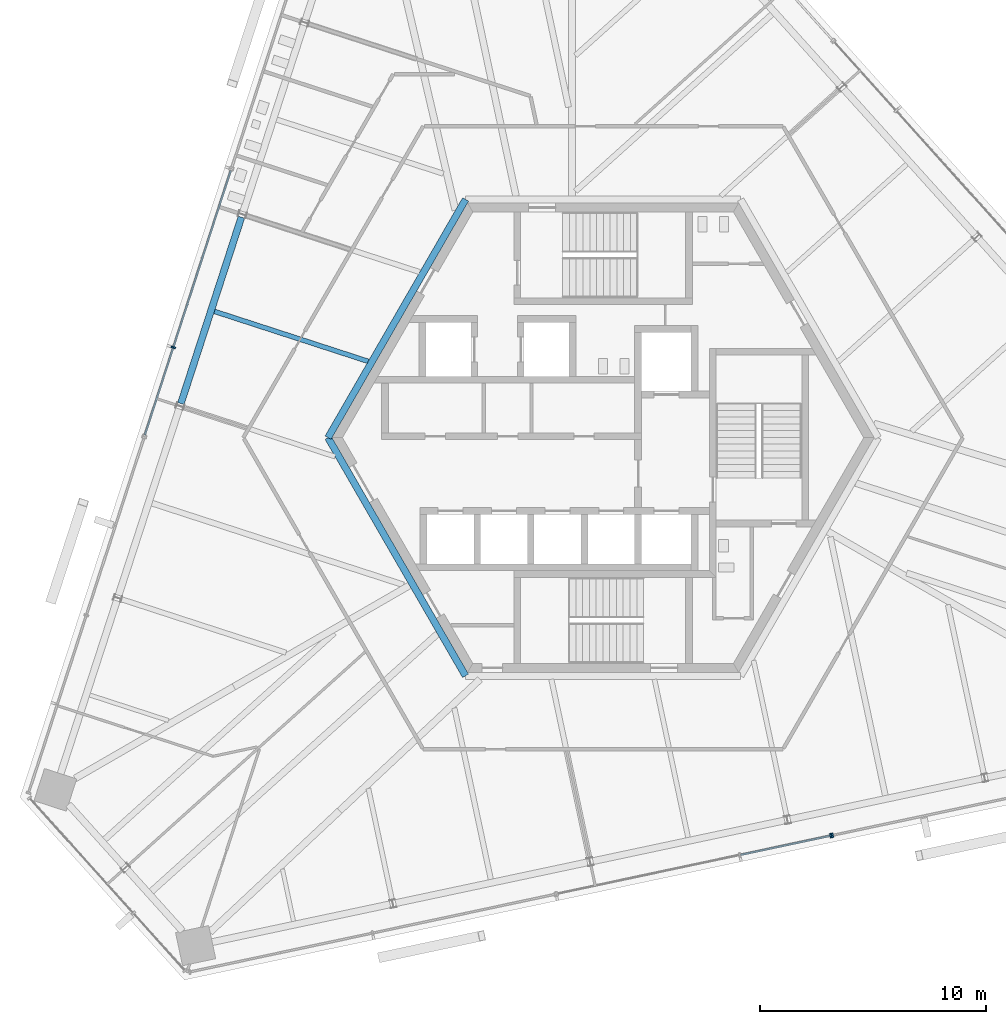
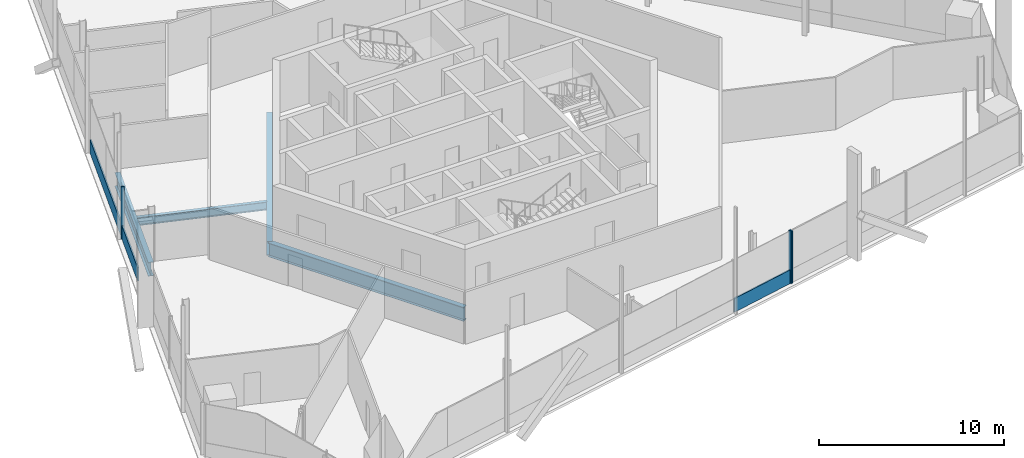
# One storey, part 5 of 16: 6 members, 4 beams, 3 elements without a shape of their own.
"""IFC4 building model written with IfcOpenShell, lengths in metres."""

from ifc_helpers import new_model, si_unit, direction, frame, origin, origin_2d, place, context, subcontext, project, spatial, rectangle, i_section, extrude, source, transform, mapped, material, material_profile, profile_set, type_object, element, aggregate, save


model = new_model("IFC4")

# Units and contexts
model_context = context("Model", 3, precision=1e-05, world=origin(), true_north=direction((0.0, 1.0)))
body_context = subcontext(model_context, "Body", "Model", "MODEL_VIEW")
ifc_project = project(units=[si_unit("LENGTHUNIT", "METRE"), si_unit("AREAUNIT", "SQUARE_METRE"), si_unit("VOLUMEUNIT", "CUBIC_METRE"), si_unit("PLANEANGLEUNIT", "RADIAN"), si_unit("MASSUNIT", "GRAM", prefix="KILO")], contexts=[model_context])

# Site, building, storey
site_placement = place(None, origin())
site = spatial("IfcSite", under=ifc_project, at=site_placement, CompositionType="ELEMENT")
building_placement = place(site_placement, origin())
building = spatial("IfcBuilding", under=site, at=building_placement, Name="Triune Harvest Tower", CompositionType="ELEMENT")
storey_placement = place(building_placement, frame((0.0, 0.0, 266.699951171875)))
storey = spatial("IfcBuildingStorey", under=building, at=storey_placement, Name="L70", CompositionType="ELEMENT", Elevation=266.699951171875)

# Beams
ifc_material_1 = material(Name="Steel ASTM A992 Gr 50", Category="steel")
ifc_material_profile_1 = material_profile(ifc_material_1, i_section(OverallWidth=0.3046875, OverallDepth=0.914306640625, WebThickness=0.0166015625, FlangeThickness=0.02587890625, at=origin_2d()), Name="W36x160")
ifc_profile_set_1 = profile_set([ifc_material_profile_1], Name="Steel ASTM A992 Gr 50")
beam_type_1 = type_object("IfcBeamType", Name="CG-1 Core ring girder W36x160", PredefinedType="BEAM", material=ifc_profile_set_1)
shared_shape_1 = source(origin(), body_context, "Body", "SweptSolid", [
    extrude(i_section(OverallWidth=0.3046875, OverallDepth=0.914306640625, WebThickness=0.0166015625, FlangeThickness=0.02587890625, at=origin_2d()), origin(), (0.0, 0.0, 1.0), 12.176025390625),
])
for number, where, z_axis, x_axis, name in (
    (1, (-6.087890625, 10.544677734375, -0.6171875), (-0.5000099932, -0.866019634131, 0.0), (0.866019634131, -0.5000099932, 0.0), "beam/L70/CG3"),
    (2, (-12.176025390625, 0.0, -0.6171875), (0.5000099932, -0.866019634131, 0.0), (0.866019634131, 0.5000099932, 0.0), "beam/L70/CG4"),
):
    element("IfcBeam", number, at=place(storey_placement, frame(where, z_axis=z_axis, x_axis=x_axis)), inside=storey, type_object=beam_type_1, Name=name, PredefinedType="BEAM", context=body_context, shape_type="MappedRepresentation", body=[
        mapped(shared_shape_1, transform((0.0, 0.0, 0.0), scale=1.0)),
    ])
ifc_material_2 = material(Name="Steel ASTM A992 Gr 50", Category="steel")
ifc_material_profile_2 = material_profile(ifc_material_2, i_section(OverallWidth=0.3046875, OverallDepth=0.914306640625, WebThickness=0.0166015625, FlangeThickness=0.02587890625, at=origin_2d()), Name="W36x160")
ifc_profile_set_2 = profile_set([ifc_material_profile_2], Name="Steel ASTM A992 Gr 50")
beam_type_2 = type_object("IfcBeamType", Name="SB-1 Spandrel beam W36x160", PredefinedType="SPANDREL", material=ifc_profile_set_2)
shared_shape_2 = source(origin(), body_context, "Body", "SweptSolid", [
    extrude(i_section(OverallWidth=0.3046875, OverallDepth=0.914306640625, WebThickness=0.0166015625, FlangeThickness=0.02587890625, at=origin_2d()), origin(), (0.0, 0.0, 1.0), 8.67138671875),
])
beam_1_placement = place(storey_placement, frame((-16.011474609375, 9.76123046875, -0.6171875), z_axis=(-0.309030684676, -0.951052067938, 0.0), x_axis=(0.951052067938, -0.309030684676, 0.0)))
element("IfcBeam", 3, at=beam_1_placement, inside=storey, type_object=beam_type_2, Name="beam/L70/SB10", PredefinedType="SPANDREL", context=body_context, shape_type="MappedRepresentation", body=[
    mapped(shared_shape_2, transform((0.0, 0.0, 0.0), scale=1.0)),
])
ifc_material_3 = material(Name="Steel ASTM A992 Gr 50", Category="steel")
ifc_material_profile_3 = material_profile(ifc_material_3, i_section(OverallWidth=0.2099609375, OverallDepth=0.535888671875, WebThickness=0.010986328125, FlangeThickness=0.017333984375, at=origin_2d()), Name="W21x68")
ifc_profile_set_3 = profile_set([ifc_material_profile_3], Name="Steel ASTM A992 Gr 50")
beam_type_3 = type_object("IfcBeamType", Name="JT-2 Floor joist W21x68", PredefinedType="JOIST", material=ifc_profile_set_3)
shared_shape_3 = source(origin(), body_context, "Body", "SweptSolid", [
    extrude(i_section(OverallWidth=0.2099609375, OverallDepth=0.535888671875, WebThickness=0.010986328125, FlangeThickness=0.017333984375, at=origin_2d()), origin(), (0.0, 0.0, 1.0), 7.15576171875),
])
beam_2_placement = place(storey_placement, frame((-17.206298828125, 5.5908203125, -0.427978515625), z_axis=(0.95104785783, -0.30904364112, 0.0), x_axis=(0.30904364112, 0.95104785783, 0.0)))
element("IfcBeam", 4, at=beam_2_placement, inside=storey, type_object=beam_type_3, Name="beam/L70/JT16", PredefinedType="JOIST", context=body_context, shape_type="MappedRepresentation", body=[
    mapped(shared_shape_3, transform((0.0, 0.0, 0.0), scale=1.0)),
])

# Curtain wall, member
ifc_material_4 = material(Name="Aluminium bronze anodised", Category="aluminium")
curtain_wall_type_1 = type_object("IfcCurtainWallType", Name="CW-1 Tower stick curtain wall", PredefinedType="NOTDEFINED", material=ifc_material_4)
curtain_wall_1_placement = place(storey_placement, origin())
curtain_wall_1 = element("IfcCurtainWall", 5, at=curtain_wall_1_placement, inside=storey, type_object=curtain_wall_type_1, Name="CW-1 B7-F3 L70 run 1001")
ifc_material_5 = material(Name="Aluminium bronze anodised", Category="aluminium")
ifc_material_profile_4 = material_profile(ifc_material_5, rectangle(XDim=0.199951171875, YDim=0.074951171875, at=origin_2d()), Name="MU-1 mullion 75 x 200")
ifc_profile_set_4 = profile_set([ifc_material_profile_4], Name="Aluminium bronze anodised")
member_type_1 = type_object("IfcMemberType", Name="MU-1 mullion 75 x 200", PredefinedType="MULLION", material=ifc_profile_set_4)
shared_shape_4 = source(origin(), body_context, "Body", "SweptSolid", [
    extrude(rectangle(XDim=0.199951171875, YDim=0.074951171875, at=origin_2d()), origin(), (0.0, 0.0, 1.0), 3.43994140625),
])
member_1_placement = place(storey_placement, frame((-19.02587890625, 3.9970703125, 0.0), z_axis=(0.0, 0.0, 1.0), x_axis=(0.951054284615, -0.309023862696, 0.0)))
member_1 = element("IfcMember", 6, at=member_1_placement, type_object=member_type_1, Name="CW-1 mullion B7-F3 1001.3", PredefinedType="MULLION", context=body_context, shape_type="MappedRepresentation", body=[
    mapped(shared_shape_4, transform((0.0, 0.0, 0.0), scale=1.0)),
])

curtain_wall_2_placement = place(storey_placement, origin())
curtain_wall_2 = element("IfcCurtainWall", 7, at=curtain_wall_2_placement, inside=storey, type_object=curtain_wall_type_1, Name="CW-1 B7-F5 L70 run 1001")
member_2_placement = place(storey_placement, frame((10.079833984375, -17.619140625, 0.0), z_axis=(0.0, 0.0, 1.0), x_axis=(-0.207917272266, 0.978146414344, 0.0)))
member_2 = element("IfcMember", 8, at=member_2_placement, type_object=member_type_1, Name="CW-1 mullion B7-F5 1001.4", PredefinedType="MULLION", context=body_context, shape_type="MappedRepresentation", body=[
    mapped(shared_shape_4, transform((0.0, 0.0, 0.0), scale=1.0)),
])

ifc_material_6 = material(Name="Aluminium bronze anodised", Category="aluminium")
curtain_wall_type_2 = type_object("IfcCurtainWallType", Name="CW-7 Tower stick curtain wall with insulated spandrel infill", PredefinedType="NOTDEFINED", material=ifc_material_6)
curtain_wall_3_placement = place(storey_placement, origin())
curtain_wall_3 = element("IfcCurtainWall", 9, at=curtain_wall_3_placement, inside=storey, type_object=curtain_wall_type_2, Name="CW-7 B7-F5 L70 run 2001")
member_3_placement = place(storey_placement, frame((10.153076171875, -17.603515625, 0.0), z_axis=(0.0, 0.0, 1.0), x_axis=(-0.2079086203, 0.978148253388, 0.0)))
member_3 = element("IfcMember", 10, at=member_3_placement, type_object=member_type_1, Name="CW-7 mullion B7-F5 2001.1", PredefinedType="MULLION", context=body_context, shape_type="MappedRepresentation", body=[
    mapped(shared_shape_4, transform((0.0, 0.0, 0.0), scale=1.0)),
])
aggregate(curtain_wall_3, [member_3])

# Member
ifc_material_7 = material(Name="Aluminium bronze anodised", Category="aluminium")
ifc_material_profile_5 = material_profile(ifc_material_7, rectangle(XDim=0.090087890625, YDim=0.89990234375, at=origin_2d()), Name="TR-1 transom 90 x 900")
ifc_profile_set_5 = profile_set([ifc_material_profile_5], Name="Aluminium bronze anodised")
member_type_2 = type_object("IfcMemberType", Name="TR-1 transom 90 x 900", PredefinedType="USERDEFINED", material=ifc_profile_set_5)
shared_shape_5 = source(origin(), body_context, "Body", "SweptSolid", [
    extrude(rectangle(XDim=0.090087890625, YDim=0.89990234375, at=origin_2d()), origin(), (0.0, 0.0, 1.0), 4.043212890625),
])
member_4_placement = place(storey_placement, frame((6.088134765625, -18.4677734375, 0.449951171875), z_axis=(0.978137821682, 0.207957692319, 0.0), x_axis=(-0.207957692319, 0.978137821682, 0.0)))
member_4 = element("IfcMember", 11, at=member_4_placement, type_object=member_type_2, Name="CW-1 transom B7-F5 1001.2", ObjectType="TRANSOM", PredefinedType="USERDEFINED", context=body_context, shape_type="MappedRepresentation", body=[
    mapped(shared_shape_5, transform((0.0, 0.0, 0.0), scale=1.0)),
])

aggregate(curtain_wall_2, [member_2, member_4])

shared_shape_6 = source(origin(), body_context, "Body", "SweptSolid", [
    extrude(rectangle(XDim=0.090087890625, YDim=0.89990234375, at=origin_2d()), origin(), (0.0, 0.0, 1.0), 8.19921875),
])
member_5_placement = place(storey_placement, frame((-16.480712890625, 11.83056640625, 0.449951171875), z_axis=(-0.309018742385, -0.951055948331, 0.0), x_axis=(0.951055948331, -0.309018742385, 0.0)))
member_5 = element("IfcMember", 12, at=member_5_placement, type_object=member_type_2, Name="CW-1 transom B7-F3 1001.1", ObjectType="TRANSOM", PredefinedType="USERDEFINED", context=body_context, shape_type="MappedRepresentation", body=[
    mapped(shared_shape_6, transform((0.0, 0.0, 0.0), scale=1.0)),
])

shared_shape_7 = source(origin(), body_context, "Body", "SweptSolid", [
    extrude(rectangle(XDim=0.090087890625, YDim=0.89990234375, at=origin_2d()), origin(), (0.0, 0.0, 1.0), 4.04345703125),
])
member_6_placement = place(storey_placement, frame((-19.03759765625, 3.96142578125, 0.449951171875), z_axis=(-0.309027363751, -0.951053147018, 0.0), x_axis=(0.951053147018, -0.309027363751, 0.0)))
member_6 = element("IfcMember", 13, at=member_6_placement, type_object=member_type_2, Name="CW-1 transom B7-F3 1001.2", ObjectType="TRANSOM", PredefinedType="USERDEFINED", context=body_context, shape_type="MappedRepresentation", body=[
    mapped(shared_shape_7, transform((0.0, 0.0, 0.0), scale=1.0)),
])

aggregate(curtain_wall_1, [member_1, member_5, member_6])

save(model, "model.ifc")
